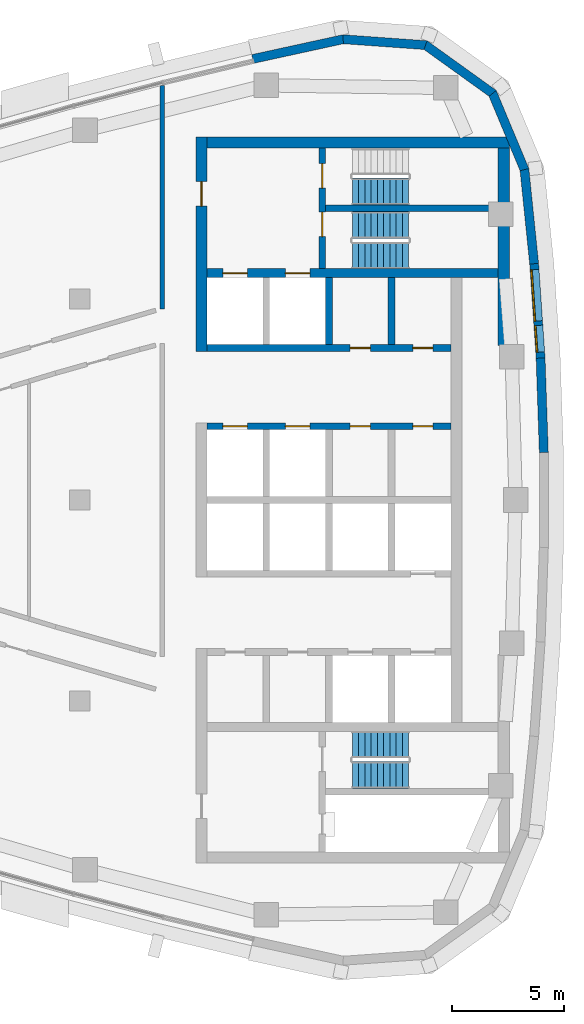
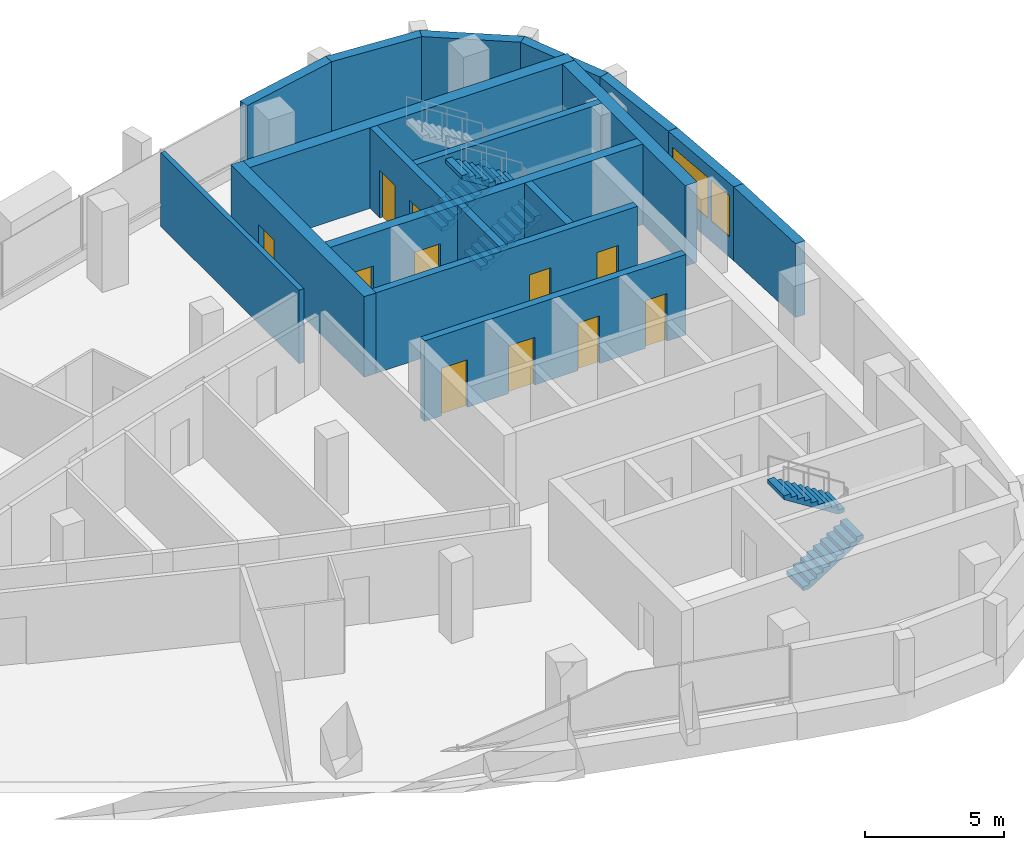
# One storey, part 9 of 14: 18 walls, 11 doors, 5 stair flights, 2 windows, 13 openings, 3 elements without a shape of their own.
"""IFC4 building model written with IfcOpenShell, lengths in metres."""

from ifc_helpers import new_model, si_unit, direction, frame, frame_2d, origin, place, context, subcontext, project, spatial, polyline, rectangle, outline, extrude, material, layer, layer_set, type_object, element, fill, aggregate, save


model = new_model("IFC4")

# Units and contexts
model_context = context("Model", 3, precision=1e-05, world=origin(), true_north=direction((0.0, 1.0)))
body_context = subcontext(model_context, "Body", "Model", "MODEL_VIEW")
ifc_project = project(units=[si_unit("LENGTHUNIT", "METRE"), si_unit("AREAUNIT", "SQUARE_METRE"), si_unit("VOLUMEUNIT", "CUBIC_METRE"), si_unit("PLANEANGLEUNIT", "RADIAN"), si_unit("MASSUNIT", "GRAM", prefix="KILO")], contexts=[model_context])

# Site, building, storey
site_placement = place(None, origin())
site = spatial("IfcSite", under=ifc_project, at=site_placement, CompositionType="ELEMENT")
building_placement = place(site_placement, origin())
building = spatial("IfcBuilding", under=site, at=building_placement, Name="Ostrand Prow Hotel Tower", CompositionType="ELEMENT")
storey_placement = place(building_placement, frame((0.0, 0.0, 278.550048828125)))
storey = spatial("IfcBuildingStorey", under=building, at=storey_placement, Name="L70", CompositionType="ELEMENT", Elevation=278.550048828125)

# Wall, openings, doors
ifc_material_1 = material(Name="Concrete C50/60", Category="concrete")
ifc_layer_1 = layer(ifc_material_1, 0.300048828125)
ifc_layer_set_1 = layer_set([ifc_layer_1], Name="Concrete C50/60")
wall_type_1 = type_object("IfcWallType", Name="Core wall 300 C50/60", PredefinedType="SHEAR", material=ifc_layer_set_1)
wall_1_placement = place(storey_placement, frame((50.699951171875, 3.300048828125, 0.0), z_axis=(0.0, 0.0, 1.0), x_axis=(1.0, 0.0, 0.0)))
wall_1 = element("IfcWall", 1, at=wall_1_placement, inside=storey, type_object=wall_type_1, Name="Core wall PW-L1-N", PredefinedType="SHEAR", context=body_context, shape_type="SweptSolid", body=[
    extrude(rectangle(XDim=10.900146484375, YDim=0.300048828125, at=frame_2d((5.4501953125, 0.0))), origin(), (0.0, 0.0, 1.0), 3.550048828125),
])
opening_1_placement = place(wall_1_placement, frame((0.699951171875, 0.0, 0.0)))
opening_1 = element("IfcOpeningElement", 2, at=opening_1_placement, cuts=wall_1, Name="Opening LD", PredefinedType="OPENING", context=body_context, shape_type="SweptSolid", body=[
    extrude(rectangle(XDim=1.10009765625, YDim=2.10009765625, at=frame_2d((0.550048828125, 1.050048828125))), frame((0.0, 0.159912109375, 0.0), z_axis=(0.0, -1.0, 0.0), x_axis=(1.0, 0.0, 0.0)), (0.0, 0.0, 1.0), 0.320068359375),
])
opening_2_placement = place(wall_1_placement, frame((3.5, 0.0, 0.0)))
opening_2 = element("IfcOpeningElement", 3, at=opening_2_placement, cuts=wall_1, Name="Opening LD", PredefinedType="OPENING", context=body_context, shape_type="SweptSolid", body=[
    extrude(rectangle(XDim=1.10009765625, YDim=2.10009765625, at=frame_2d((0.550048828125, 1.050048828125))), frame((0.0, 0.159912109375, 0.0), z_axis=(0.0, -1.0, 0.0), x_axis=(1.0, 0.0, 0.0)), (0.0, 0.0, 1.0), 0.320068359375),
])
opening_3_placement = place(wall_1_placement, frame((6.39990234375, 0.0, 0.0)))
opening_3 = element("IfcOpeningElement", 4, at=opening_3_placement, cuts=wall_1, Name="Opening FD2", PredefinedType="OPENING", context=body_context, shape_type="SweptSolid", body=[
    extrude(rectangle(XDim=0.89990234375, YDim=2.10009765625, at=frame_2d((0.449951171875, 1.050048828125))), frame((0.0, 0.159912109375, 0.0), z_axis=(0.0, -1.0, 0.0), x_axis=(1.0, 0.0, 0.0)), (0.0, 0.0, 1.0), 0.320068359375),
])
opening_4_placement = place(wall_1_placement, frame((9.199951171875, 0.0, 0.0)))
opening_4 = element("IfcOpeningElement", 5, at=opening_4_placement, cuts=wall_1, Name="Opening FD2", PredefinedType="OPENING", context=body_context, shape_type="SweptSolid", body=[
    extrude(rectangle(XDim=0.89990234375, YDim=2.10009765625, at=frame_2d((0.449951171875, 1.050048828125))), frame((0.0, 0.159912109375, 0.0), z_axis=(0.0, -1.0, 0.0), x_axis=(1.0, 0.0, 0.0)), (0.0, 0.0, 1.0), 0.320068359375),
])
ifc_material_2 = material(Name="Steel fire door", Category="steel")
door_type_1 = type_object("IfcDoorType", Name="Fire door 900 EI120", OperationType="SINGLE_SWING_LEFT", PredefinedType="DOOR", material=ifc_material_2)
door_1_placement = place(opening_3_placement, origin())
door_1 = element("IfcDoor", 6, at=door_1_placement, inside=storey, type_object=door_type_1, Name="DOOR", OperationType="SINGLE_SWING_LEFT", OverallHeight=2.10009765625, OverallWidth=0.89990234375, PredefinedType="DOOR", context=body_context, shape_type="SweptSolid", body=[
    extrude(rectangle(XDim=0.89990234375, YDim=2.10009765625, at=frame_2d((0.449951171875, 1.050048828125))), frame((0.0, 0.02490234375, 0.0), z_axis=(0.0, -1.0, 0.0), x_axis=(1.0, 0.0, 0.0)), (0.0, 0.0, 1.0), 0.050048828125),
])
fill(opening_3, door_1)
door_2_placement = place(opening_4_placement, origin())
door_2 = element("IfcDoor", 7, at=door_2_placement, inside=storey, type_object=door_type_1, Name="DOOR", OperationType="SINGLE_SWING_LEFT", OverallHeight=2.10009765625, OverallWidth=0.89990234375, PredefinedType="DOOR", context=body_context, shape_type="SweptSolid", body=[
    extrude(rectangle(XDim=0.89990234375, YDim=2.10009765625, at=frame_2d((0.449951171875, 1.050048828125))), frame((0.0, 0.02490234375, 0.0), z_axis=(0.0, -1.0, 0.0), x_axis=(1.0, 0.0, 0.0)), (0.0, 0.0, 1.0), 0.050048828125),
])
fill(opening_4, door_2)
ifc_material_3 = material(Name="Stainless steel door", Category="steel")
door_type_2 = type_object("IfcDoorType", Name="Lift landing door 1100", OperationType="DOUBLE_DOOR_SLIDING", PredefinedType="DOOR", material=ifc_material_3)
door_3_placement = place(opening_1_placement, origin())
door_3 = element("IfcDoor", 8, at=door_3_placement, inside=storey, type_object=door_type_2, Name="LIFT LANDING DOOR", OperationType="DOUBLE_DOOR_SLIDING", OverallHeight=2.10009765625, OverallWidth=1.10009765625, PredefinedType="DOOR", context=body_context, shape_type="SweptSolid", body=[
    extrude(rectangle(XDim=1.10009765625, YDim=2.10009765625, at=frame_2d((0.550048828125, 1.050048828125))), frame((0.0, 0.02490234375, 0.0), z_axis=(0.0, -1.0, 0.0), x_axis=(1.0, 0.0, 0.0)), (0.0, 0.0, 1.0), 0.050048828125),
])
fill(opening_1, door_3)
door_4_placement = place(opening_2_placement, origin())
door_4 = element("IfcDoor", 9, at=door_4_placement, inside=storey, type_object=door_type_2, Name="LIFT LANDING DOOR", OperationType="DOUBLE_DOOR_SLIDING", OverallHeight=2.10009765625, OverallWidth=1.10009765625, PredefinedType="DOOR", context=body_context, shape_type="SweptSolid", body=[
    extrude(rectangle(XDim=1.10009765625, YDim=2.10009765625, at=frame_2d((0.550048828125, 1.050048828125))), frame((0.0, 0.02490234375, 0.0), z_axis=(0.0, -1.0, 0.0), x_axis=(1.0, 0.0, 0.0)), (0.0, 0.0, 1.0), 0.050048828125),
])
fill(opening_2, door_4)

wall_2_placement = place(storey_placement, frame((50.699951171875, 6.800048828125, 0.0), z_axis=(0.0, 0.0, 1.0), x_axis=(1.0, 0.0, 0.0)))
wall_2 = element("IfcWall", 10, at=wall_2_placement, inside=storey, type_object=wall_type_1, Name="Core wall PW-L2-N", PredefinedType="SHEAR", context=body_context, shape_type="SweptSolid", body=[
    extrude(rectangle(XDim=10.900146484375, YDim=0.300048828125, at=frame_2d((5.4501953125, 0.0))), origin(), (0.0, 0.0, 1.0), 3.550048828125),
])
opening_5_placement = place(wall_2_placement, frame((6.39990234375, 0.0, 0.0)))
opening_5 = element("IfcOpeningElement", 11, at=opening_5_placement, cuts=wall_2, Name="Opening FD2", PredefinedType="OPENING", context=body_context, shape_type="SweptSolid", body=[
    extrude(rectangle(XDim=0.89990234375, YDim=2.10009765625, at=frame_2d((0.449951171875, 1.050048828125))), frame((0.0, 0.159912109375, 0.0), z_axis=(0.0, -1.0, 0.0), x_axis=(1.0, 0.0, 0.0)), (0.0, 0.0, 1.0), 0.320068359375),
])
opening_6_placement = place(wall_2_placement, frame((9.199951171875, 0.0, 0.0)))
opening_6 = element("IfcOpeningElement", 12, at=opening_6_placement, cuts=wall_2, Name="Opening FD2", PredefinedType="OPENING", context=body_context, shape_type="SweptSolid", body=[
    extrude(rectangle(XDim=0.89990234375, YDim=2.10009765625, at=frame_2d((0.449951171875, 1.050048828125))), frame((0.0, 0.159912109375, 0.0), z_axis=(0.0, -1.0, 0.0), x_axis=(1.0, 0.0, 0.0)), (0.0, 0.0, 1.0), 0.320068359375),
])
door_5_placement = place(opening_5_placement, origin())
door_5 = element("IfcDoor", 13, at=door_5_placement, inside=storey, type_object=door_type_1, Name="DOOR", OperationType="SINGLE_SWING_LEFT", OverallHeight=2.10009765625, OverallWidth=0.89990234375, PredefinedType="DOOR", context=body_context, shape_type="SweptSolid", body=[
    extrude(rectangle(XDim=0.89990234375, YDim=2.10009765625, at=frame_2d((0.449951171875, 1.050048828125))), frame((0.0, 0.02490234375, 0.0), z_axis=(0.0, -1.0, 0.0), x_axis=(1.0, 0.0, 0.0)), (0.0, 0.0, 1.0), 0.050048828125),
])
fill(opening_5, door_5)
door_6_placement = place(opening_6_placement, origin())
door_6 = element("IfcDoor", 14, at=door_6_placement, inside=storey, type_object=door_type_1, Name="DOOR", OperationType="SINGLE_SWING_LEFT", OverallHeight=2.10009765625, OverallWidth=0.89990234375, PredefinedType="DOOR", context=body_context, shape_type="SweptSolid", body=[
    extrude(rectangle(XDim=0.89990234375, YDim=2.10009765625, at=frame_2d((0.449951171875, 1.050048828125))), frame((0.0, 0.02490234375, 0.0), z_axis=(0.0, -1.0, 0.0), x_axis=(1.0, 0.0, 0.0)), (0.0, 0.0, 1.0), 0.050048828125),
])
fill(opening_6, door_6)

# Walls
for number, where, z_axis, x_axis, name in (
    (15, (56.14990234375, 6.949951171875, 0.0), (0.0, 0.0, 1.0), (0.0, 1.0, 0.0), "Core wall PW-R2-NA"),
    (16, (58.949951171875, 6.949951171875, 0.0), (0.0, 0.0, 1.0), (0.0, 1.0, 0.0), "Core wall PW-R3-NA"),
):
    element("IfcWall", number, at=place(storey_placement, frame(where, z_axis=z_axis, x_axis=x_axis)), inside=storey, type_object=wall_type_1, Name=name, PredefinedType="SHEAR", context=body_context, shape_type="SweptSolid", body=[
        extrude(rectangle(XDim=3.0, YDim=0.300048828125, at=frame_2d((1.5, 0.0))), origin(), (0.0, 0.0, 1.0), 3.550048828125),
    ])

# Wall, openings, doors
wall_3_placement = place(storey_placement, frame((55.85009765625, 10.35009765625, 0.0), z_axis=(0.0, 0.0, 1.0), x_axis=(0.0, 1.0, 0.0)))
wall_3 = element("IfcWall", 17, at=wall_3_placement, inside=storey, type_object=wall_type_1, Name="Core wall PW-VN", PredefinedType="SHEAR", context=body_context, shape_type="SweptSolid", body=[
    extrude(rectangle(XDim=5.39990234375, YDim=0.300048828125, at=frame_2d((2.699951171875, 0.0))), origin(), (0.0, 0.0, 1.0), 3.550048828125),
])
opening_7_placement = place(wall_3_placement, frame((1.429931640625, 0.0, 0.0)))
opening_7 = element("IfcOpeningElement", 18, at=opening_7_placement, cuts=wall_3, Name="Opening FD1", PredefinedType="OPENING", context=body_context, shape_type="SweptSolid", body=[
    extrude(rectangle(XDim=1.10009765625, YDim=2.10009765625, at=frame_2d((0.550048828125, 1.050048828125))), frame((0.0, 0.159912109375, 0.0), z_axis=(0.0, -1.0, 0.0), x_axis=(1.0, 0.0, 0.0)), (0.0, 0.0, 1.0), 0.320068359375),
])
opening_8_placement = place(wall_3_placement, frame((3.60009765625, 0.0, 0.0)))
opening_8 = element("IfcOpeningElement", 19, at=opening_8_placement, cuts=wall_3, Name="Opening FD1", PredefinedType="OPENING", context=body_context, shape_type="SweptSolid", body=[
    extrude(rectangle(XDim=1.10009765625, YDim=2.10009765625, at=frame_2d((0.550048828125, 1.050048828125))), frame((0.0, 0.159912109375, 0.0), z_axis=(0.0, -1.0, 0.0), x_axis=(1.0, 0.0, 0.0)), (0.0, 0.0, 1.0), 0.320068359375),
])
ifc_material_4 = material(Name="Steel fire door", Category="steel")
door_type_3 = type_object("IfcDoorType", Name="Fire door 1100 EI120", OperationType="SINGLE_SWING_RIGHT", PredefinedType="DOOR", material=ifc_material_4)
door_7_placement = place(opening_7_placement, origin())
door_7 = element("IfcDoor", 20, at=door_7_placement, inside=storey, type_object=door_type_3, Name="FIRE DOOR", OperationType="SINGLE_SWING_RIGHT", OverallHeight=2.10009765625, OverallWidth=1.10009765625, PredefinedType="DOOR", context=body_context, shape_type="SweptSolid", body=[
    extrude(rectangle(XDim=1.10009765625, YDim=2.10009765625, at=frame_2d((0.550048828125, 1.050048828125))), frame((0.0, 0.02490234375, 0.0), z_axis=(0.0, -1.0, 0.0), x_axis=(1.0, 0.0, 0.0)), (0.0, 0.0, 1.0), 0.050048828125),
])
fill(opening_7, door_7)
door_8_placement = place(opening_8_placement, origin())
door_8 = element("IfcDoor", 21, at=door_8_placement, inside=storey, type_object=door_type_3, Name="FIRE DOOR", OperationType="SINGLE_SWING_RIGHT", OverallHeight=2.10009765625, OverallWidth=1.10009765625, PredefinedType="DOOR", context=body_context, shape_type="SweptSolid", body=[
    extrude(rectangle(XDim=1.10009765625, YDim=2.10009765625, at=frame_2d((0.550048828125, 1.050048828125))), frame((0.0, 0.02490234375, 0.0), z_axis=(0.0, -1.0, 0.0), x_axis=(1.0, 0.0, 0.0)), (0.0, 0.0, 1.0), 0.050048828125),
])
fill(opening_8, door_8)

# Wall
wall_4_placement = place(storey_placement, frame((56.0, 13.050048828125, 0.0), z_axis=(0.0, 0.0, 1.0), x_axis=(1.0, 0.0, 0.0)))
element("IfcWall", 22, at=wall_4_placement, inside=storey, type_object=wall_type_1, Name="Core wall PW-ST13", PredefinedType="SHEAR", context=body_context, shape_type="SweptSolid", body=[
    extrude(rectangle(XDim=7.719970703125, YDim=0.300048828125, at=frame_2d((3.85986328125, 0.0))), origin(), (0.0, 0.0, 1.0), 3.550048828125),
])

# Wall, openings, doors
ifc_material_5 = material(Name="Concrete C50/60", Category="concrete")
ifc_layer_2 = layer(ifc_material_5, 0.39990234375)
ifc_layer_set_2 = layer_set([ifc_layer_2], Name="Concrete C50/60")
wall_type_2 = type_object("IfcWallType", Name="Core wall 400 C50/60", PredefinedType="SHEAR", material=ifc_layer_set_2)
wall_5_placement = place(storey_placement, frame((50.699951171875, 10.14990234375, 0.0), z_axis=(0.0, 0.0, 1.0), x_axis=(1.0, 0.0, 0.0)))
wall_5 = element("IfcWall", 23, at=wall_5_placement, inside=storey, type_object=wall_type_2, Name="Core wall PW-BN", PredefinedType="SHEAR", context=body_context, shape_type="SweptSolid", body=[
    extrude(rectangle(XDim=13.02001953125, YDim=0.39990234375, at=frame_2d((6.510009765625, 0.0))), origin(), (0.0, 0.0, 1.0), 3.550048828125),
])
opening_9_placement = place(wall_5_placement, frame((0.699951171875, 0.0, 0.0)))
opening_9 = element("IfcOpeningElement", 24, at=opening_9_placement, cuts=wall_5, Name="Opening LD", PredefinedType="OPENING", context=body_context, shape_type="SweptSolid", body=[
    extrude(rectangle(XDim=1.10009765625, YDim=2.10009765625, at=frame_2d((0.550048828125, 1.050048828125))), frame((0.0, 0.2099609375, 0.0), z_axis=(0.0, -1.0, 0.0), x_axis=(1.0, 0.0, 0.0)), (0.0, 0.0, 1.0), 0.419921875),
])
opening_10_placement = place(wall_5_placement, frame((3.5, 0.0, 0.0)))
opening_10 = element("IfcOpeningElement", 25, at=opening_10_placement, cuts=wall_5, Name="Opening LD", PredefinedType="OPENING", context=body_context, shape_type="SweptSolid", body=[
    extrude(rectangle(XDim=1.10009765625, YDim=2.10009765625, at=frame_2d((0.550048828125, 1.050048828125))), frame((0.0, 0.2099609375, 0.0), z_axis=(0.0, -1.0, 0.0), x_axis=(1.0, 0.0, 0.0)), (0.0, 0.0, 1.0), 0.419921875),
])
door_9_placement = place(opening_9_placement, origin())
door_9 = element("IfcDoor", 26, at=door_9_placement, inside=storey, type_object=door_type_2, Name="LIFT LANDING DOOR", OperationType="DOUBLE_DOOR_SLIDING", OverallHeight=2.10009765625, OverallWidth=1.10009765625, PredefinedType="DOOR", context=body_context, shape_type="SweptSolid", body=[
    extrude(rectangle(XDim=1.10009765625, YDim=2.10009765625, at=frame_2d((0.550048828125, 1.050048828125))), frame((0.0, 0.02490234375, 0.0), z_axis=(0.0, -1.0, 0.0), x_axis=(1.0, 0.0, 0.0)), (0.0, 0.0, 1.0), 0.050048828125),
])
fill(opening_9, door_9)
door_10_placement = place(opening_10_placement, origin())
door_10 = element("IfcDoor", 27, at=door_10_placement, inside=storey, type_object=door_type_2, Name="LIFT LANDING DOOR", OperationType="DOUBLE_DOOR_SLIDING", OverallHeight=2.10009765625, OverallWidth=1.10009765625, PredefinedType="DOOR", context=body_context, shape_type="SweptSolid", body=[
    extrude(rectangle(XDim=1.10009765625, YDim=2.10009765625, at=frame_2d((0.550048828125, 1.050048828125))), frame((0.0, 0.02490234375, 0.0), z_axis=(0.0, -1.0, 0.0), x_axis=(1.0, 0.0, 0.0)), (0.0, 0.0, 1.0), 0.050048828125),
])
fill(opening_10, door_10)

# Wall, opening, door
ifc_material_6 = material(Name="Concrete C50/60", Category="concrete")
ifc_layer_3 = layer(ifc_material_6, 0.5)
ifc_layer_set_3 = layer_set([ifc_layer_3], Name="Concrete C50/60")
wall_type_3 = type_object("IfcWallType", Name="Core wall 500 C50/60", PredefinedType="SHEAR", material=ifc_layer_set_3)
wall_6_placement = place(storey_placement, frame((50.449951171875, 6.64990234375, 0.0), z_axis=(0.0, 0.0, 1.0), x_axis=(0.0, 1.0, 0.0)))
wall_6 = element("IfcWall", 28, at=wall_6_placement, inside=storey, type_object=wall_type_3, Name="Core wall CW-W-N", PredefinedType="SHEAR", context=body_context, shape_type="SweptSolid", body=[
    extrude(rectangle(XDim=9.60009765625, YDim=0.5, at=frame_2d((4.800048828125, 0.0))), origin(), (0.0, 0.0, 1.0), 3.550048828125),
])
opening_11_placement = place(wall_6_placement, frame((6.5, 0.0, 0.0)))
opening_11 = element("IfcOpeningElement", 29, at=opening_11_placement, cuts=wall_6, Name="Opening FD1", PredefinedType="OPENING", context=body_context, shape_type="SweptSolid", body=[
    extrude(rectangle(XDim=1.10009765625, YDim=2.10009765625, at=frame_2d((0.550048828125, 1.050048828125))), frame((0.0, 0.260009765625, 0.0), z_axis=(0.0, -1.0, 0.0), x_axis=(1.0, 0.0, 0.0)), (0.0, 0.0, 1.0), 0.52001953125),
])
door_11_placement = place(opening_11_placement, origin())
door_11 = element("IfcDoor", 30, at=door_11_placement, inside=storey, type_object=door_type_3, Name="FIRE DOOR", OperationType="SINGLE_SWING_RIGHT", OverallHeight=2.10009765625, OverallWidth=1.10009765625, PredefinedType="DOOR", context=body_context, shape_type="SweptSolid", body=[
    extrude(rectangle(XDim=1.10009765625, YDim=2.10009765625, at=frame_2d((0.550048828125, 1.050048828125))), frame((0.0, 0.02490234375, 0.0), z_axis=(0.0, -1.0, 0.0), x_axis=(1.0, 0.0, 0.0)), (0.0, 0.0, 1.0), 0.050048828125),
])
fill(opening_11, door_11)

# Walls
wall_7_placement = place(storey_placement, frame((50.699951171875, 16.0, 0.0), z_axis=(0.0, 0.0, 1.0), x_axis=(1.0, 0.0, 0.0)))
element("IfcWall", 31, at=wall_7_placement, inside=storey, type_object=wall_type_3, Name="Core wall CW-N", PredefinedType="SHEAR", context=body_context, shape_type="SweptSolid", body=[
    extrude(rectangle(XDim=13.52001953125, YDim=0.5, at=frame_2d((6.760009765625, 0.0))), origin(), (0.0, 0.0, 1.0), 3.550048828125),
])
wall_8_placement = place(storey_placement, frame((63.969970703125, 6.9033203125, 0.0), z_axis=(0.0, 0.0, 1.0), x_axis=(0.0, 1.0, 0.0)))
element("IfcWall", 32, at=wall_8_placement, inside=storey, type_object=wall_type_3, Name="Core wall CW-E-N", PredefinedType="SHEAR", context=body_context, shape_type="SweptSolid", body=[
    extrude(rectangle(XDim=8.8466796875, YDim=0.5, at=frame_2d((4.42333984375, 0.0))), origin(), (0.0, 0.0, 1.0), 3.550048828125),
])
ifc_material_7 = material(Name="Plasterboard partition")
ifc_layer_4 = layer(ifc_material_7, 0.199951171875)
ifc_layer_set_4 = layer_set([ifc_layer_4], Name="Plasterboard partition")
wall_type_4 = type_object("IfcWallType", Name="Partition 200 corridor wall", PredefinedType="PARTITIONING", material=ifc_layer_set_4)
wall_9_placement = place(storey_placement, frame((48.695068359375, 18.552978515625, 0.0), z_axis=(0.0, 0.0, 1.0), x_axis=(0.0, -1.0, 0.0)))
element("IfcWall", 33, at=wall_9_placement, inside=storey, type_object=wall_type_4, Name="CORRIDOR WALL", PredefinedType="PARTITIONING", context=body_context, shape_type="SweptSolid", body=[
    extrude(rectangle(XDim=9.99658203125, YDim=0.199951171875, at=frame_2d((4.998291015625, 0.0))), origin(), (0.0, 0.0, 1.0), 3.25),
])
ifc_material_8 = material(Name="Precast concrete C40/50", Category="concrete")
ifc_layer_5 = layer(ifc_material_8, 0.39990234375)
ifc_layer_set_5 = layer_set([ifc_layer_5], Name="Precast concrete C40/50")
wall_type_5 = type_object("IfcWallType", Name="Stone-faced precast wall 400 mm", PredefinedType="NOTDEFINED", material=ifc_layer_set_5)
wall_10_placement = place(storey_placement, frame((65.764404296875, 2.11669921875, 0.0), z_axis=(0.0, 0.0, 1.0), x_axis=(-0.034082898699, 0.999419009233, 0.0)))
element("IfcWall", 34, at=wall_10_placement, inside=storey, type_object=wall_type_5, Name="Stone-faced wall back 9", PredefinedType="NOTDEFINED", context=body_context, shape_type="SweptSolid", body=[
    extrude(outline(polyline([(-0.00341796875, -0.199951171875), (4.23681640625, -0.199951171875), (4.22998046875, 0.199951171875), (0.00341796875, 0.199951171875), (-0.00341796875, -0.199951171875)])), origin(), (0.0, 0.0, 1.0), 3.25),
])

# Wall, openings, windows
wall_11_placement = place(storey_placement, frame((65.6201171875, 6.34765625, 0.0), z_axis=(0.0, 0.0, 1.0), x_axis=(-0.068279584479, 0.997666225921, 0.0)))
wall_11 = element("IfcWall", 35, at=wall_11_placement, inside=storey, type_object=wall_type_5, Name="Stone-faced wall back 10", PredefinedType="NOTDEFINED", context=body_context, shape_type="SweptSolid", body=[
    extrude(outline(polyline([(-0.00341796875, -0.199951171875), (4.23681640625, -0.199951171875), (4.22998046875, 0.199951171875), (0.00341796875, 0.199951171875), (-0.00341796875, -0.199951171875)])), origin(), (0.0, 0.0, 1.0), 3.25),
])
opening_12_placement = place(wall_11_placement, frame((0.2666015625, 0.0, 0.89990234375)))
opening_12 = element("IfcOpeningElement", 36, at=opening_12_placement, cuts=wall_11, Name="Opening WS4", PredefinedType="OPENING", context=body_context, shape_type="SweptSolid", body=[
    extrude(rectangle(XDim=1.199951171875, YDim=1.800048828125, at=frame_2d((0.60009765625, 0.89990234375))), frame((0.0, 0.2099609375, 0.0), z_axis=(0.0, -1.0, 0.0), x_axis=(1.0, 0.0, 0.0)), (0.0, 0.0, 1.0), 0.419921875),
])
opening_13_placement = place(wall_11_placement, frame((1.666748046875, 0.0, 0.89990234375)))
opening_13 = element("IfcOpeningElement", 37, at=opening_13_placement, cuts=wall_11, Name="Opening WS5-23", PredefinedType="OPENING", context=body_context, shape_type="SweptSolid", body=[
    extrude(rectangle(XDim=2.300048828125, YDim=1.800048828125, at=frame_2d((1.14990234375, 0.89990234375))), frame((0.0, 0.2099609375, 0.0), z_axis=(0.0, -1.0, 0.0), x_axis=(1.0, 0.0, 0.0)), (0.0, 0.0, 1.0), 0.419921875),
])
ifc_material_9 = material(Name="Insulated glass in bronze frame", Category="glass")
window_type_1 = type_object("IfcWindowType", Name="Fixed strip window 2300x1800", PartitioningType="SINGLE_PANEL", PredefinedType="WINDOW", material=ifc_material_9)
window_1_placement = place(opening_13_placement, origin())
window_1 = element("IfcWindow", 38, at=window_1_placement, inside=storey, type_object=window_type_1, Name="Window back 10.2", OverallHeight=1.800048828125, OverallWidth=2.300048828125, PartitioningType="SINGLE_PANEL", PredefinedType="WINDOW", context=body_context, shape_type="SweptSolid", body=[
    extrude(rectangle(XDim=2.300048828125, YDim=1.800048828125, at=frame_2d((1.14990234375, 0.89990234375))), frame((0.0, 0.169921875, 0.0), z_axis=(0.0, -1.0, 0.0), x_axis=(1.0, 0.0, 0.0)), (0.0, 0.0, 1.0), 0.06005859375),
])
fill(opening_13, window_1)
ifc_material_10 = material(Name="Insulated glass in bronze frame", Category="glass")
window_type_2 = type_object("IfcWindowType", Name="Operable strip panel 1200x1800", PartitioningType="SINGLE_PANEL", PredefinedType="WINDOW", material=ifc_material_10)
window_2_placement = place(opening_12_placement, origin())
window_2 = element("IfcWindow", 39, at=window_2_placement, inside=storey, type_object=window_type_2, Name="Window back 10.1", OverallHeight=1.800048828125, OverallWidth=1.199951171875, PartitioningType="SINGLE_PANEL", PredefinedType="WINDOW", context=body_context, shape_type="SweptSolid", body=[
    extrude(rectangle(XDim=1.199951171875, YDim=1.800048828125, at=frame_2d((0.60009765625, 0.89990234375))), frame((0.0, 0.169921875, 0.0), z_axis=(0.0, -1.0, 0.0), x_axis=(1.0, 0.0, 0.0)), (0.0, 0.0, 1.0), 0.06005859375),
])
fill(opening_12, window_2)

# Walls
wall_12_placement = place(storey_placement, frame((65.3310546875, 10.5712890625, 0.0), z_axis=(0.0, 0.0, 1.0), x_axis=(-0.102249826987, 0.994758751096, 0.0)))
element("IfcWall", 40, at=wall_12_placement, inside=storey, type_object=wall_type_5, Name="Stone-faced wall back 11", PredefinedType="NOTDEFINED", context=body_context, shape_type="SweptSolid", body=[
    extrude(outline(polyline([(-0.00341796875, -0.199951171875), (4.262939453125, -0.199951171875), (4.203857421875, 0.199951171875), (0.00341796875, 0.199951171875), (-0.00341796875, -0.199951171875)])), origin(), (0.0, 0.0, 1.0), 3.25),
])
wall_13_placement = place(storey_placement, frame((64.898193359375, 14.782470703125, 0.0), z_axis=(0.0, 0.0, 1.0), x_axis=(-0.385285857918, 0.922797273343, 0.0)))
element("IfcWall", 41, at=wall_13_placement, inside=storey, type_object=wall_type_5, Name="Stone-faced wall back 12", PredefinedType="NOTDEFINED", context=body_context, shape_type="SweptSolid", body=[
    extrude(outline(polyline([(-0.029541015625, -0.199951171875), (3.75341796875, -0.199951171875), (3.64013671875, 0.199951171875), (0.029541015625, 0.199951171875), (-0.029541015625, -0.199951171875)])), origin(), (0.0, 0.0, 1.0), 3.25),
])
wall_14_placement = place(storey_placement, frame((63.473876953125, 18.19384765625, 0.0), z_axis=(0.0, 0.0, 1.0), x_axis=(-0.811962548682, 0.583709533533, 0.0)))
element("IfcWall", 42, at=wall_14_placement, inside=storey, type_object=wall_type_5, Name="Stone-faced wall back 13", PredefinedType="NOTDEFINED", context=body_context, shape_type="SweptSolid", body=[
    extrude(outline(polyline([(-0.056640625, -0.199951171875), (3.753173828125, -0.199951171875), (3.639892578125, 0.199951171875), (0.056640625, 0.199951171875), (-0.056640625, -0.199951171875)])), origin(), (0.0, 0.0, 1.0), 3.25),
])
wall_15_placement = place(storey_placement, frame((60.472412109375, 20.3515625, 0.0), z_axis=(0.0, 0.0, 1.0), x_axis=(-0.99746272096, 0.071190731806, 0.0)))
element("IfcWall", 43, at=wall_15_placement, inside=storey, type_object=wall_type_5, Name="Stone-faced wall back 14", PredefinedType="NOTDEFINED", context=body_context, shape_type="SweptSolid", body=[
    extrude(outline(polyline([(-0.056640625, -0.199951171875), (3.7255859375, -0.199951171875), (3.66796875, 0.199951171875), (0.056640625, 0.199951171875), (-0.056640625, -0.199951171875)])), origin(), (0.0, 0.0, 1.0), 3.25),
])
wall_16_placement = place(storey_placement, frame((56.784912109375, 20.61474609375, 0.0), z_axis=(0.0, 0.0, 1.0), x_axis=(-0.977020225348, -0.213146614471, 0.0)))
element("IfcWall", 44, at=wall_16_placement, inside=storey, type_object=wall_type_5, Name="Stone-faced wall back 15", PredefinedType="NOTDEFINED", context=body_context, shape_type="SweptSolid", body=[
    extrude(outline(polyline([(-0.02880859375, -0.199951171875), (4.141845703125, -0.199951171875), (4.141845703125, 0.199951171875), (0.02880859375, 0.199951171875), (-0.02880859375, -0.199951171875)])), origin(), (0.0, 0.0, 1.0), 3.25),
])

# Stair, stair flights
ifc_material_11 = material(Name="Concrete C40/50", Category="concrete")
stair_type = type_object("IfcStairType", Name="Exit stair 1200 upper zone", PredefinedType="HALF_TURN_STAIR", material=ifc_material_11)
stair_1_placement = place(storey_placement, origin())
stair_1 = element("IfcStair", 45, at=stair_1_placement, inside=storey, type_object=stair_type, Name="L70 ST1C", PredefinedType="HALF_TURN_STAIR")
ifc_material_12 = material(Name="Concrete C40/50", Category="concrete")
stair_flight_type = type_object("IfcStairFlightType", Name="Stair flight 1200 concrete", PredefinedType="STRAIGHT", material=ifc_material_12)
stair_flight_1_placement = place(storey_placement, frame((57.199951171875, 10.949951171875, 0.0), z_axis=(0.0, 0.0, 1.0), x_axis=(1.0, 0.0, 0.0)))
stair_flight_1 = element("IfcStairFlight", 46, at=stair_flight_1_placement, type_object=stair_flight_type, Name="ST1C flight 1", NumberOfRisers=10, NumberOfTreads=9, PredefinedType="STRAIGHT", RiserHeight=0.1775, TreadLength=0.28, context=body_context, shape_type="SweptSolid", body=[
    extrude(outline(polyline([(0.0, 0.0), (0.0, 0.177490234375), (0.280029296875, 0.177490234375), (0.280029296875, 0.35498046875), (0.56005859375, 0.35498046875), (0.56005859375, 0.532470703125), (0.840087890625, 0.532470703125), (0.840087890625, 0.7099609375), (1.1201171875, 0.7099609375), (1.1201171875, 0.887451171875), (1.39990234375, 0.887451171875), (1.39990234375, 1.06494140625), (1.679931640625, 1.06494140625), (1.679931640625, 1.242431640625), (1.9599609375, 1.242431640625), (1.9599609375, 1.419921875), (2.239990234375, 1.419921875), (2.239990234375, 1.597412109375), (2.52001953125, 1.597412109375), (2.52001953125, 1.77490234375), (2.52001953125, 1.419921875), (0.280029296875, 0.0), (0.0, 0.0)])), frame((0.0, 0.60009765625, 0.0), z_axis=(0.0, -1.0, 0.0), x_axis=(1.0, 0.0, 0.0)), (0.0, 0.0, 1.0), 1.199951171875),
])
stair_flight_2_placement = place(storey_placement, frame((59.719970703125, 12.300048828125, 1.77490234375), z_axis=(0.0, 0.0, 1.0), x_axis=(-1.0, 0.0, 0.0)))
stair_flight_2 = element("IfcStairFlight", 47, at=stair_flight_2_placement, type_object=stair_flight_type, Name="ST1C flight 2", NumberOfRisers=10, NumberOfTreads=9, PredefinedType="STRAIGHT", RiserHeight=0.1775, TreadLength=0.28, context=body_context, shape_type="SweptSolid", body=[
    extrude(outline(polyline([(0.0, 0.0), (0.0, 0.177490234375), (0.280029296875, 0.177490234375), (0.280029296875, 0.35498046875), (0.56005859375, 0.35498046875), (0.56005859375, 0.532470703125), (0.840087890625, 0.532470703125), (0.840087890625, 0.7099609375), (1.1201171875, 0.7099609375), (1.1201171875, 0.887451171875), (1.39990234375, 0.887451171875), (1.39990234375, 1.06494140625), (1.679931640625, 1.06494140625), (1.679931640625, 1.242431640625), (1.9599609375, 1.242431640625), (1.9599609375, 1.419921875), (2.239990234375, 1.419921875), (2.239990234375, 1.597412109375), (2.52001953125, 1.597412109375), (2.52001953125, 1.77490234375), (2.52001953125, 1.419921875), (0.280029296875, 0.0), (0.0, 0.0)])), frame((0.0, 0.60009765625, 0.0), z_axis=(0.0, -1.0, 0.0), x_axis=(1.0, 0.0, 0.0)), (0.0, 0.0, 1.0), 1.199951171875),
])
aggregate(stair_1, [stair_flight_1, stair_flight_2])

# Stair, stair flight
stair_2_placement = place(storey_placement, origin())
stair_2 = element("IfcStair", 48, at=stair_2_placement, inside=storey, type_object=stair_type, Name="L70 ST3C", PredefinedType="HALF_TURN_STAIR")
stair_flight_3_placement = place(storey_placement, frame((57.199951171875, 13.800048828125, 0.0), z_axis=(0.0, 0.0, 1.0), x_axis=(1.0, 0.0, 0.0)))
stair_flight_3 = element("IfcStairFlight", 49, at=stair_flight_3_placement, type_object=stair_flight_type, Name="ST3C flight 1", NumberOfRisers=10, NumberOfTreads=9, PredefinedType="STRAIGHT", RiserHeight=0.1775, TreadLength=0.28, context=body_context, shape_type="SweptSolid", body=[
    extrude(outline(polyline([(0.0, 0.0), (0.0, 0.177490234375), (0.280029296875, 0.177490234375), (0.280029296875, 0.35498046875), (0.56005859375, 0.35498046875), (0.56005859375, 0.532470703125), (0.840087890625, 0.532470703125), (0.840087890625, 0.7099609375), (1.1201171875, 0.7099609375), (1.1201171875, 0.887451171875), (1.39990234375, 0.887451171875), (1.39990234375, 1.06494140625), (1.679931640625, 1.06494140625), (1.679931640625, 1.242431640625), (1.9599609375, 1.242431640625), (1.9599609375, 1.419921875), (2.239990234375, 1.419921875), (2.239990234375, 1.597412109375), (2.52001953125, 1.597412109375), (2.52001953125, 1.77490234375), (2.52001953125, 1.419921875), (0.280029296875, 0.0), (0.0, 0.0)])), frame((0.0, 0.60009765625, 0.0), z_axis=(0.0, -1.0, 0.0), x_axis=(1.0, 0.0, 0.0)), (0.0, 0.0, 1.0), 1.199951171875),
])
aggregate(stair_2, [stair_flight_3])

# Stair, stair flights
stair_3_placement = place(storey_placement, origin())
stair_3 = element("IfcStair", 50, at=stair_3_placement, inside=storey, type_object=stair_type, Name="L70 ST2C", PredefinedType="HALF_TURN_STAIR")
stair_flight_4_placement = place(storey_placement, frame((57.199951171875, -12.300048828125, 0.0), z_axis=(0.0, 0.0, 1.0), x_axis=(1.0, 0.0, 0.0)))
stair_flight_4 = element("IfcStairFlight", 51, at=stair_flight_4_placement, type_object=stair_flight_type, Name="ST2C flight 1", NumberOfRisers=10, NumberOfTreads=9, PredefinedType="STRAIGHT", RiserHeight=0.1775, TreadLength=0.28, context=body_context, shape_type="SweptSolid", body=[
    extrude(outline(polyline([(0.0, 0.0), (0.0, 0.177490234375), (0.280029296875, 0.177490234375), (0.280029296875, 0.35498046875), (0.56005859375, 0.35498046875), (0.56005859375, 0.532470703125), (0.840087890625, 0.532470703125), (0.840087890625, 0.7099609375), (1.1201171875, 0.7099609375), (1.1201171875, 0.887451171875), (1.39990234375, 0.887451171875), (1.39990234375, 1.06494140625), (1.679931640625, 1.06494140625), (1.679931640625, 1.242431640625), (1.9599609375, 1.242431640625), (1.9599609375, 1.419921875), (2.239990234375, 1.419921875), (2.239990234375, 1.597412109375), (2.52001953125, 1.597412109375), (2.52001953125, 1.77490234375), (2.52001953125, 1.419921875), (0.280029296875, 0.0), (0.0, 0.0)])), frame((0.0, 0.60009765625, 0.0), z_axis=(0.0, -1.0, 0.0), x_axis=(1.0, 0.0, 0.0)), (0.0, 0.0, 1.0), 1.199951171875),
])
stair_flight_5_placement = place(storey_placement, frame((59.719970703125, -10.949951171875, 1.77490234375), z_axis=(0.0, 0.0, 1.0), x_axis=(-1.0, 0.0, 0.0)))
stair_flight_5 = element("IfcStairFlight", 52, at=stair_flight_5_placement, type_object=stair_flight_type, Name="ST2C flight 2", NumberOfRisers=10, NumberOfTreads=9, PredefinedType="STRAIGHT", RiserHeight=0.1775, TreadLength=0.28, context=body_context, shape_type="SweptSolid", body=[
    extrude(outline(polyline([(0.0, 0.0), (0.0, 0.177490234375), (0.280029296875, 0.177490234375), (0.280029296875, 0.35498046875), (0.56005859375, 0.35498046875), (0.56005859375, 0.532470703125), (0.840087890625, 0.532470703125), (0.840087890625, 0.7099609375), (1.1201171875, 0.7099609375), (1.1201171875, 0.887451171875), (1.39990234375, 0.887451171875), (1.39990234375, 1.06494140625), (1.679931640625, 1.06494140625), (1.679931640625, 1.242431640625), (1.9599609375, 1.242431640625), (1.9599609375, 1.419921875), (2.239990234375, 1.419921875), (2.239990234375, 1.597412109375), (2.52001953125, 1.597412109375), (2.52001953125, 1.77490234375), (2.52001953125, 1.419921875), (0.280029296875, 0.0), (0.0, 0.0)])), frame((0.0, 0.60009765625, 0.0), z_axis=(0.0, -1.0, 0.0), x_axis=(1.0, 0.0, 0.0)), (0.0, 0.0, 1.0), 1.199951171875),
])
aggregate(stair_3, [stair_flight_4, stair_flight_5])

save(model, "model.ifc")
